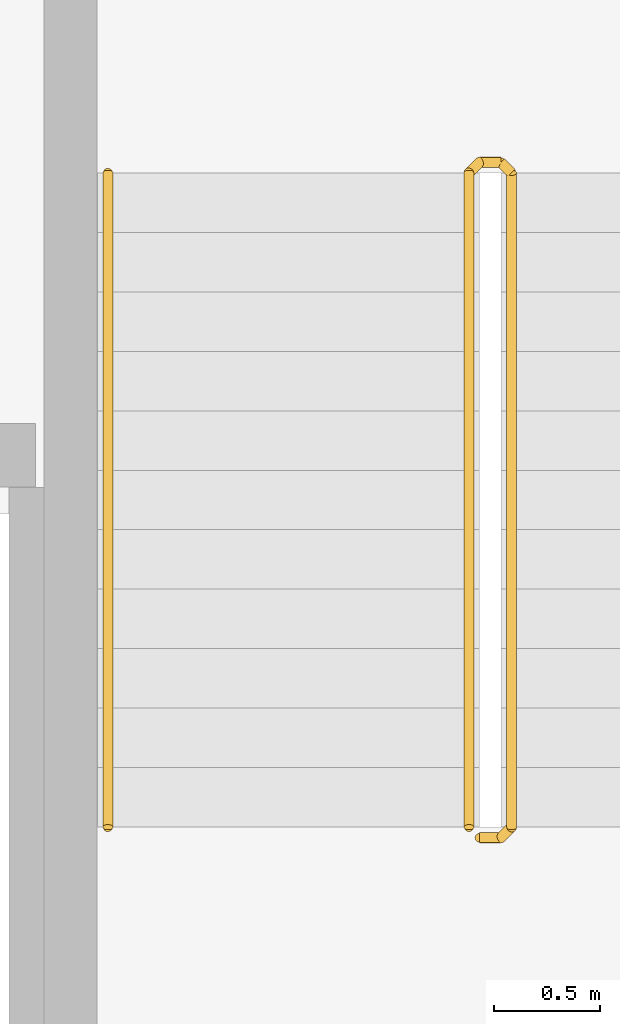
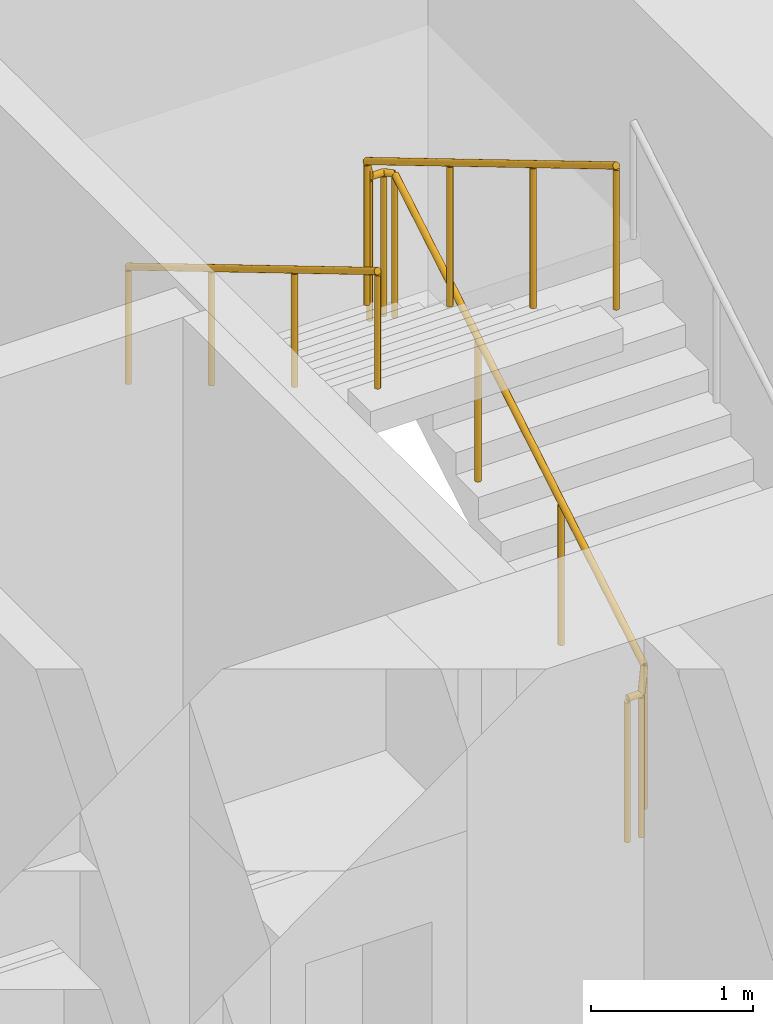
# One storey, part 27 of 29: 2 railings.
"""IFC4 building model written with IfcOpenShell, lengths in metres."""

from ifc_helpers import new_model, si_unit, direction, frame, origin, origin_2d, place, context, subcontext, project, spatial, circle, extrude, material, type_object, element, save


model = new_model("IFC4")

# Units and contexts
model_context = context("Model", 3, precision=1e-05, world=origin(), true_north=direction((0.0, 1.0)))
body_context = subcontext(model_context, "Body", "Model", "MODEL_VIEW")
ifc_project = project(units=[si_unit("LENGTHUNIT", "METRE"), si_unit("AREAUNIT", "SQUARE_METRE"), si_unit("VOLUMEUNIT", "CUBIC_METRE"), si_unit("PLANEANGLEUNIT", "RADIAN"), si_unit("MASSUNIT", "GRAM", prefix="KILO")], contexts=[model_context])

# Site, building, storey
site_placement = place(None, origin())
site = spatial("IfcSite", under=ifc_project, at=site_placement, CompositionType="ELEMENT")
building_placement = place(site_placement, origin())
building = spatial("IfcBuilding", under=site, at=building_placement, Name="Kilnfold Tower and Market Hall", CompositionType="ELEMENT")
storey_placement = place(building_placement, frame((0.0, 0.0, 27.0)))
storey = spatial("IfcBuildingStorey", under=building, at=storey_placement, Name="L05", CompositionType="ELEMENT", Elevation=27.0)

# Railings
ifc_material_1 = material(Name="Stainless steel 316", Category="steel")
railing_type_1 = type_object("IfcRailingType", Name="CORE STAIR GUARD 1100", PredefinedType="GUARDRAIL", material=ifc_material_1)
railing_1_placement = place(storey_placement, frame((15.199951171875, 10.75, 0.0)))
element("IfcRailing", 1, at=railing_1_placement, inside=storey, type_object=railing_type_1, Name="L05 ST2 stair guard 1", PredefinedType="GUARDRAIL", context=body_context, shape_type="SweptSolid", body=[
    extrude(circle(Radius=0.02392578125, at=origin_2d()), frame((0.0, 0.0, 1.076171875), z_axis=(1.0, 0.0, 0.0), x_axis=(0.0, 1.0, 0.0)), (0.0, 0.0, 1.0), 0.10009765625),
    extrude(circle(Radius=0.02392578125, at=origin_2d()), frame((0.10009765625, 0.0, 1.076171875), z_axis=(0.27628659633, 0.27628659633, 0.920506074601), x_axis=(-0.707106781187, 0.707106781187, 0.0)), (0.0, 0.0, 1.0), 0.18115234375),
    extrude(circle(Radius=0.02392578125, at=origin_2d()), frame((0.150146484375, 0.050048828125, 1.24267578125), z_axis=(0.0, 0.859290745958, 0.51148745235), x_axis=(-1.0, 0.0, 0.0)), (0.0, 0.0, 1.0), 3.584228515625),
    extrude(circle(Radius=0.02392578125, at=origin_2d()), frame((0.150146484375, 3.1298828125, 3.076171875), z_axis=(-0.707106781187, 0.707106781187, 0.0), x_axis=(-0.707106781187, -0.707106781187, 0.0)), (0.0, 0.0, 1.0), 0.07080078125),
    extrude(circle(Radius=0.02392578125, at=origin_2d()), frame((0.10009765625, 3.179931640625, 3.076171875), z_axis=(-1.0, 0.0, 0.0), x_axis=(0.0, -1.0, 0.0)), (0.0, 0.0, 1.0), 0.10009765625),
    extrude(circle(Radius=0.02392578125, at=origin_2d()), frame((0.0, 3.179931640625, 3.076171875), z_axis=(-0.27628659633, -0.27628659633, 0.920506074601), x_axis=(0.707106781187, -0.707106781187, 0.0)), (0.0, 0.0, 1.0), 0.18115234375),
    extrude(circle(Radius=0.02392578125, at=origin_2d()), frame((-0.050048828125, 3.1298828125, 3.24267578125), z_axis=(0.0, -0.859290745958, 0.51148745235), x_axis=(1.0, 0.0, 0.0)), (0.0, 0.0, 1.0), 3.584228515625),
    extrude(circle(Radius=0.02099609375, at=origin_2d()), origin(), (0.0, 0.0, 1.0), 1.052001953125),
    extrude(circle(Radius=0.02099609375, at=origin_2d()), frame((0.10009765625, 0.0, 0.0)), (0.0, 0.0, 1.0), 1.052001953125),
    extrude(circle(Radius=0.02099609375, at=origin_2d()), frame((0.150146484375, 0.050048828125, 0.166748046875)), (0.0, 0.0, 1.0), 1.052001953125),
    extrude(circle(Radius=0.02099609375, at=origin_2d()), frame((0.150146484375, 1.07666015625, 0.77783203125)), (0.0, 0.0, 1.0), 1.052001953125),
    extrude(circle(Radius=0.02099609375, at=origin_2d()), frame((0.150146484375, 2.103271484375, 1.388916015625)), (0.0, 0.0, 1.0), 1.052001953125),
    extrude(circle(Radius=0.02099609375, at=origin_2d()), frame((0.150146484375, 3.1298828125, 2.0)), (0.0, 0.0, 1.0), 1.052001953125),
    extrude(circle(Radius=0.02099609375, at=origin_2d()), frame((0.10009765625, 3.179931640625, 2.0)), (0.0, 0.0, 1.0), 1.052001953125),
    extrude(circle(Radius=0.02099609375, at=origin_2d()), frame((0.0, 3.179931640625, 2.0)), (0.0, 0.0, 1.0), 1.052001953125),
    extrude(circle(Radius=0.02099609375, at=origin_2d()), frame((-0.050048828125, 3.1298828125, 2.166748046875)), (0.0, 0.0, 1.0), 1.052001953125),
    extrude(circle(Radius=0.02099609375, at=origin_2d()), frame((-0.050048828125, 2.103271484375, 2.77783203125)), (0.0, 0.0, 1.0), 1.052001953125),
    extrude(circle(Radius=0.02099609375, at=origin_2d()), frame((-0.050048828125, 1.07666015625, 3.388916015625)), (0.0, 0.0, 1.0), 1.052001953125),
    extrude(circle(Radius=0.02099609375, at=origin_2d()), frame((-0.050048828125, 0.050048828125, 4.0)), (0.0, 0.0, 1.0), 1.052001953125),
])
ifc_material_2 = material(Name="Stainless steel 316", Category="steel")
railing_type_2 = type_object("IfcRailingType", Name="CORE STAIR HANDRAIL 900", PredefinedType="HANDRAIL", material=ifc_material_2)
railing_2_placement = place(storey_placement, frame((13.449951171875, 13.8798828125, 2.166748046875)))
element("IfcRailing", 2, at=railing_2_placement, inside=storey, type_object=railing_type_2, Name="L05 ST2 stair handrail 2", PredefinedType="HANDRAIL", context=body_context, shape_type="SweptSolid", body=[
    extrude(circle(Radius=0.02392578125, at=origin_2d()), frame((0.0, 0.0, 0.8759765625), z_axis=(0.0, -0.859290745958, 0.51148745235), x_axis=(1.0, 0.0, 0.0)), (0.0, 0.0, 1.0), 3.584228515625),
    extrude(circle(Radius=0.02099609375, at=origin_2d()), origin(), (0.0, 0.0, 1.0), 0.851806640625),
    extrude(circle(Radius=0.02099609375, at=origin_2d()), frame((0.0, -1.026611328125, 0.611083984375)), (0.0, 0.0, 1.0), 0.851806640625),
    extrude(circle(Radius=0.02099609375, at=origin_2d()), frame((0.0, -2.05322265625, 1.22216796875)), (0.0, 0.0, 1.0), 0.851806640625),
    extrude(circle(Radius=0.02099609375, at=origin_2d()), frame((0.0, -3.079833984375, 1.833251953125)), (0.0, 0.0, 1.0), 0.851806640625),
])

save(model, "model.ifc")
